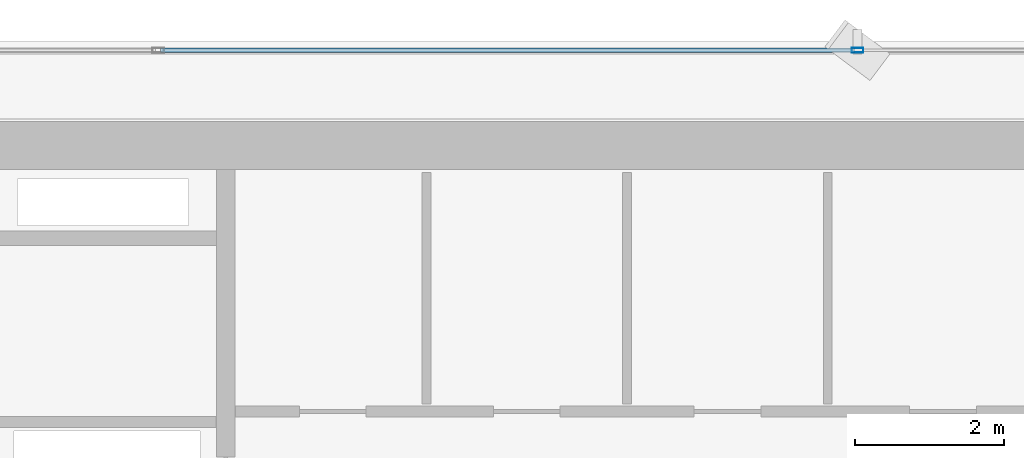
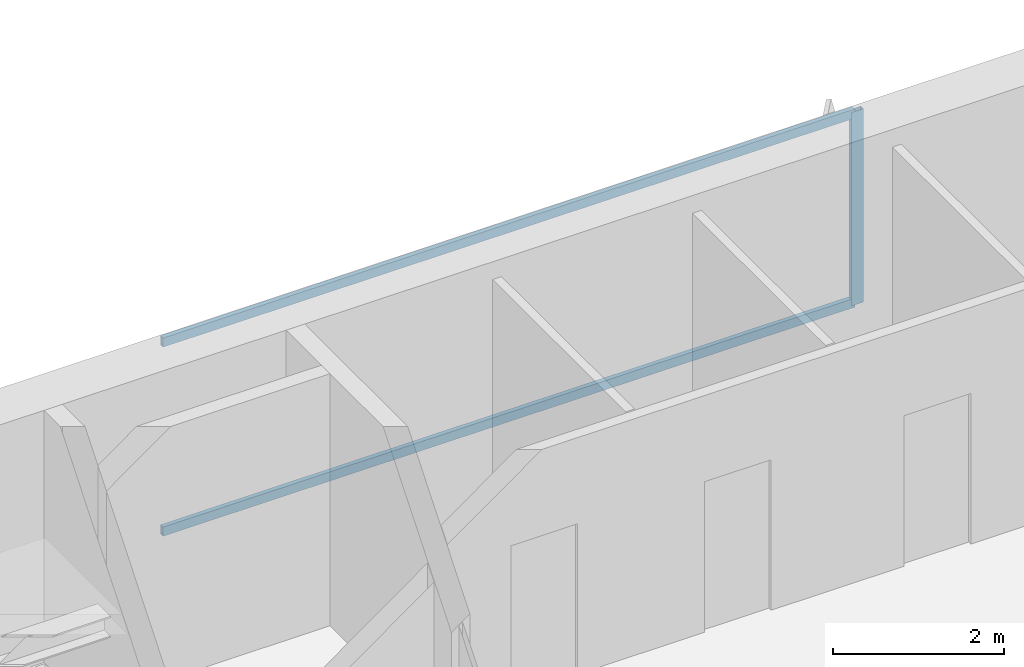
# One storey, part 16 of 28: 3 members, 1 element without a shape of its own.
"""IFC4 building model written with IfcOpenShell, lengths in metres."""

import ifcopenshell
import ifcopenshell.guid

model = None  # the IFC model being written
_history = None  # IfcOwnerHistory: only IFC2X3 demands one
_inside = {}  # id of a spatial element -> (the spatial element, [elements in it])
_under = {}  # id of a project, library or spatial element -> (it, [spatial elements below it])
_declared = {}  # id of a project -> (the project, [libraries it declares])
_typed = {}  # id of a type object -> (the type object, [elements of that type])
_made_of = {}  # id of a material, layer set ... -> (it, [elements and type objects made of it])


def new_model(schema):
    """Start an empty IFC model of exactly this schema.

    Asked for "IFC4X3", IfcOpenShell would pick the latest addendum, in which some entities
    have other attributes; the version numbers below select the first issue.
    IFC2X3 requires an IfcOwnerHistory on every rooted entity: one is made here for all.
    """
    global model, _history
    if schema == "IFC4X3":
        model = ifcopenshell.file(schema_version=(4, 3, 0, 0))
    else:
        model = ifcopenshell.file(schema=schema)
    _inside.clear()
    _under.clear()
    _declared.clear()
    _typed.clear()
    _made_of.clear()
    _history = None
    if model.schema == "IFC2X3":
        org = make("IfcOrganization", Name="unknown")
        user = make(
            "IfcPersonAndOrganization",
            ThePerson=make("IfcPerson", FamilyName="unknown"),
            TheOrganization=org,
        )
        app = make(
            "IfcApplication",
            ApplicationDeveloper=org,
            Version="unknown",
            ApplicationFullName="unknown",
            ApplicationIdentifier="unknown",
        )
        _history = make(
            "IfcOwnerHistory",
            OwningUser=user,
            OwningApplication=app,
            ChangeAction="ADDED",
            CreationDate=0,
        )
    return model


def make(cls, **values):
    """One entity of the class cls with the attributes given. An attribute that is None is left unset."""
    return model.create_entity(
        cls, **{name: value for name, value in values.items() if value is not None}
    )


def rooted(cls, **values):
    """An entity with a GlobalId (a new one), such as an element, a storey or a relation."""
    return make(cls, GlobalId=ifcopenshell.guid.new(), OwnerHistory=_history, **values)


def si_unit(unit_type, name, prefix=None):
    """IfcSIUnit, for example si_unit("LENGTHUNIT", "METRE", prefix="MILLI")."""
    return make("IfcSIUnit", UnitType=unit_type, Prefix=prefix, Name=name)


def assignment(units):
    """IfcUnitAssignment: the units of a project."""
    return None if units is None else make("IfcUnitAssignment", Units=units)


def point(xyz):
    """IfcCartesianPoint."""
    return None if xyz is None else make("IfcCartesianPoint", Coordinates=xyz)


def direction(xyz):
    """IfcDirection."""
    return None if xyz is None else make("IfcDirection", DirectionRatios=xyz)


def frame(location, z_axis=None, x_axis=None):
    """IfcAxis2Placement3D, a coordinate frame: its origin and axes. An axis left out is left unset."""
    return make(
        "IfcAxis2Placement3D",
        Location=point(location),
        Axis=direction(z_axis),
        RefDirection=direction(x_axis),
    )


def frame_2d(location, x_axis=None):
    """IfcAxis2Placement2D, a coordinate frame in the plane: its origin and x axis."""
    return make(
        "IfcAxis2Placement2D", Location=point(location), RefDirection=direction(x_axis)
    )


def origin():
    """The frame at (0, 0, 0) with its axes left unset."""
    return frame((0.0, 0.0, 0.0))


def origin_2d():
    """The frame at (0, 0) in the plane with its x axis left unset."""
    return frame_2d((0.0, 0.0))


def place(relative_to, where):
    """IfcLocalPlacement: puts the frame where relative to a parent placement (None: the world)."""
    return make(
        "IfcLocalPlacement", PlacementRelTo=relative_to, RelativePlacement=where
    )


def context(
    kind, dimensions, precision=None, world=None, true_north=None, identifier=None
):
    """IfcGeometricRepresentationContext, for example the 3D "Model" context."""
    return make(
        "IfcGeometricRepresentationContext",
        ContextIdentifier=identifier,
        ContextType=kind,
        CoordinateSpaceDimension=dimensions,
        Precision=precision,
        WorldCoordinateSystem=world,
        TrueNorth=true_north,
    )


def subcontext(parent, identifier, kind, view, scale=None):
    """IfcGeometricRepresentationSubContext, for example "Body" below "Model"."""
    return make(
        "IfcGeometricRepresentationSubContext",
        ContextIdentifier=identifier,
        ContextType=kind,
        ParentContext=parent,
        TargetScale=scale,
        TargetView=view,
    )


def project(units=None, contexts=None):
    """IfcProject with its units and contexts."""
    return rooted(
        "IfcProject",
        Name="project",
        RepresentationContexts=contexts,
        UnitsInContext=assignment(units),
    )


def spatial(cls, under=None, at=None, **own):
    """A site, building, storey or space (cls), placed at a placement, below another one or the project."""
    s = rooted(cls, ObjectPlacement=at, **own)
    if under is not None:
        _under.setdefault(under.id(), (under, []))[1].append(s)
    return s


def profile(cls, at=None, kind="AREA", **sizes):
    """A parametric profile (cls). Its sizes go by their IFC names, for example OverallWidth=200.0."""
    return make(cls, ProfileType=kind, Position=at, **sizes)


def hollow_rectangle(**sizes):
    """IfcRectangleHollowProfileDef."""
    return profile("IfcRectangleHollowProfileDef", **sizes)


def extrude(swept, where, along, depth):
    """IfcExtrudedAreaSolid: the profile swept, set in the frame where, extruded along a direction by depth."""
    return make(
        "IfcExtrudedAreaSolid",
        SweptArea=swept,
        Position=where,
        ExtrudedDirection=direction(along),
        Depth=depth,
    )


def shape(context_of_items, identifier, shape_type, items):
    """IfcShapeRepresentation: the items that make up one representation, for example the "Body"."""
    return make(
        "IfcShapeRepresentation",
        ContextOfItems=context_of_items,
        RepresentationIdentifier=identifier,
        RepresentationType=shape_type,
        Items=items,
    )


def source(mapping_origin, context_of_items, identifier, shape_type, items):
    """IfcRepresentationMap: a shape defined once, which mapped items show again and again."""
    return make(
        "IfcRepresentationMap",
        MappingOrigin=mapping_origin,
        MappedRepresentation=shape(context_of_items, identifier, shape_type, items),
    )


def transform(
    local_origin,
    x_axis=None,
    y_axis=None,
    z_axis=None,
    scale=None,
    scale2=None,
    scale3=None,
    uniform=True,
):
    """IfcCartesianTransformationOperator3D, or its non-uniform kind. x_axis, y_axis, z_axis: its Axis1, 2, 3."""
    if uniform:
        return make(
            "IfcCartesianTransformationOperator3D",
            Axis1=direction(x_axis),
            Axis2=direction(y_axis),
            LocalOrigin=point(local_origin),
            Scale=scale,
            Axis3=direction(z_axis),
        )
    return make(
        "IfcCartesianTransformationOperator3DnonUniform",
        Axis1=direction(x_axis),
        Axis2=direction(y_axis),
        LocalOrigin=point(local_origin),
        Scale=scale,
        Axis3=direction(z_axis),
        Scale2=scale2,
        Scale3=scale3,
    )


def mapped(mapping_source, mapping_target):
    """IfcMappedItem: shows the shape of a source again, moved by a transform."""
    return make(
        "IfcMappedItem", MappingSource=mapping_source, MappingTarget=mapping_target
    )


def material(Name=None, Category=None):
    """IfcMaterial."""
    return make("IfcMaterial", Name=Name, Category=Category)


def layer(
    of_material, thickness, ventilated=None, Name=None, Category=None, Priority=None
):
    """IfcMaterialLayer: one layer of a wall or slab, of a material (None: an air gap)."""
    return make(
        "IfcMaterialLayer",
        Material=of_material,
        LayerThickness=thickness,
        IsVentilated=ventilated,
        Name=Name,
        Category=Category,
        Priority=Priority,
    )


def layer_set(layers, Name=None):
    """IfcMaterialLayerSet."""
    return make("IfcMaterialLayerSet", MaterialLayers=layers, LayerSetName=Name)


def material_profile(
    of_material, cross_section, Name=None, Category=None, Priority=None
):
    """IfcMaterialProfile: a cross section and its material."""
    return make(
        "IfcMaterialProfile",
        Name=Name,
        Material=of_material,
        Profile=cross_section,
        Priority=Priority,
        Category=Category,
    )


def profile_set(profiles, Name=None, composite=None):
    """IfcMaterialProfileSet."""
    return make(
        "IfcMaterialProfileSet",
        Name=Name,
        MaterialProfiles=profiles,
        CompositeProfile=composite,
    )


def made_of(thing, what):
    """Note that an element or type object is made of a material, layer set ...; save() writes the relation."""
    if what is not None:
        _made_of.setdefault(what.id(), (what, []))[1].append(thing)
    return thing


def type_object(cls, material=None, **own):
    """A type object (cls), such as IfcWallType, which elements share."""
    return made_of(rooted(cls, **own), material)


def element(
    cls,
    number,
    at=None,
    inside=None,
    cuts=None,
    type_object=None,
    material=None,
    context=None,
    identifier="Body",
    shape_type=None,
    held_by="IfcProductDefinitionShape",
    body=None,
    shapes=None,
    **own,
):
    """One element of the class cls, such as IfcWall. Its Tag is "e" and its number.

    at: its placement. inside: the storey or other place that contains it. cuts: it is an
    opening in that element (IfcRelVoidsElement). A single representation is given by context,
    identifier, shape_type and body (its items); several are given by shapes. held_by: the class
    of the entity that holds the representations. save() writes the other relations.
    """
    e = rooted(cls, Tag="e%d" % number, ObjectPlacement=at, **own)
    if body is not None:
        shapes = [shape(context, identifier, shape_type, body)]
    if shapes is not None:
        e.Representation = make(held_by, Representations=shapes)
    if inside is not None:
        _inside.setdefault(inside.id(), (inside, []))[1].append(e)
    if cuts is not None:
        rooted(
            "IfcRelVoidsElement", RelatingBuildingElement=cuts, RelatedOpeningElement=e
        )
    if type_object is not None:
        _typed.setdefault(type_object.id(), (type_object, []))[1].append(e)
    return made_of(e, material)


def aggregate(whole, parts):
    """IfcRelAggregates: a whole, such as a stair, and the parts it consists of."""
    return rooted("IfcRelAggregates", RelatingObject=whole, RelatedObjects=parts)


def save(model, path):
    """Write the relations noted so far, then the file.

    IfcRelAggregates (storeys below a building ...), IfcRelContainedInSpatialStructure (elements
    in a storey), IfcRelDefinesByType, IfcRelAssociatesMaterial and IfcRelDeclares: one each for
    every whole, place, type object, material and project.
    """
    for whole, parts in _under.values():
        aggregate(whole, parts)
    for where, things in _inside.values():
        rooted(
            "IfcRelContainedInSpatialStructure",
            RelatedElements=things,
            RelatingStructure=where,
        )
    for kind, things in _typed.values():
        rooted("IfcRelDefinesByType", RelatedObjects=things, RelatingType=kind)
    for what, things in _made_of.values():
        rooted("IfcRelAssociatesMaterial", RelatedObjects=things, RelatingMaterial=what)
    for by, libraries in _declared.values():
        rooted("IfcRelDeclares", RelatingContext=by, RelatedDefinitions=libraries)
    model.write(path)


model = new_model("IFC4")

# Units and contexts
model_context = context("Model", 3, precision=1e-05, world=origin(), true_north=direction((0.0, 1.0)))
body_context = subcontext(model_context, "Body", "Model", "MODEL_VIEW")
ifc_project = project(units=[si_unit("LENGTHUNIT", "METRE"), si_unit("AREAUNIT", "SQUARE_METRE"), si_unit("VOLUMEUNIT", "CUBIC_METRE"), si_unit("PLANEANGLEUNIT", "RADIAN"), si_unit("MASSUNIT", "GRAM", prefix="KILO")], contexts=[model_context])

# Site, building, storey
site_placement = place(None, origin())
site = spatial("IfcSite", under=ifc_project, at=site_placement, CompositionType="ELEMENT")
building_placement = place(site_placement, origin())
building = spatial("IfcBuilding", under=site, at=building_placement, Name="Sumidabori Civic Tower", CompositionType="ELEMENT")
storey_placement = place(building_placement, frame((0.0, 0.0, 178.39990234375)))
storey = spatial("IfcBuildingStorey", under=building, at=storey_placement, Name="L46", CompositionType="ELEMENT", Elevation=178.39990234375)

# Curtain wall, members
ifc_material = material(Name="Anodised Bronze Aluminium AW-6063-T6", Category="aluminium")
ifc_layer = layer(ifc_material, 0.179931640625, Name="Anodised Bronze Aluminium AW-6063-T6")
ifc_layer_set = layer_set([ifc_layer], Name="Anodised Bronze Aluminium AW-6063-T6")
curtain_wall_type = type_object("IfcCurtainWallType", Name="CW-SYS-3", PredefinedType="NOTDEFINED", material=ifc_layer_set)
curtain_wall_placement = place(storey_placement, origin())
curtain_wall = element("IfcCurtainWall", 1, at=curtain_wall_placement, inside=storey, type_object=curtain_wall_type, Name="Curtain Wall CW:L46:R07", PredefinedType="NOTDEFINED")
ifc_material_profile_1 = material_profile(ifc_material, hollow_rectangle(XDim=0.06494140625, YDim=0.159912109375, WallThickness=0.0048828125, at=origin_2d()), Name="ALU MULLION 160x65")
ifc_profile_set_1 = profile_set([ifc_material_profile_1], Name="Anodised Bronze Aluminium AW-6063-T6")
member_type_1 = type_object("IfcMemberType", Name="CW-MUL-160", PredefinedType="MULLION", material=ifc_profile_set_1)
shared_shape_1 = source(origin(), body_context, "Body", "SweptSolid", [
    extrude(hollow_rectangle(XDim=0.06494140625, YDim=0.159912109375, WallThickness=0.0048828125, at=origin_2d()), origin(), (0.0, 0.0, 1.0), 2.760009765625),
])
member_1_placement = place(storey_placement, frame((0.0, 25.080078125, 0.0), z_axis=(0.0, 0.0, 1.0), x_axis=(0.0, -1.0, 0.0)))
member_1 = element("IfcMember", 2, at=member_1_placement, type_object=member_type_1, Name="CW-3 mullion 3", PredefinedType="MULLION", context=body_context, shape_type="MappedRepresentation", body=[
    mapped(shared_shape_1, transform((0.0, 0.0, 0.0), x_axis=(1.0, 0.0, 0.0), y_axis=(0.0, 1.0, 0.0), z_axis=(0.0, 0.0, 1.0), scale=1.0)),
])
ifc_material_profile_2 = material_profile(ifc_material, hollow_rectangle(XDim=0.06005859375, YDim=0.1298828125, WallThickness=0.0048828125, at=origin_2d()), Name="ALU TRANSOM 130x60")
ifc_profile_set_2 = profile_set([ifc_material_profile_2], Name="Anodised Bronze Aluminium AW-6063-T6")
member_type_2 = type_object("IfcMemberType", Name="CW-TRN-130", PredefinedType="USERDEFINED", material=ifc_profile_set_2)
shared_shape_2 = source(origin(), body_context, "Body", "SweptSolid", [
    extrude(hollow_rectangle(XDim=0.06005859375, YDim=0.1298828125, WallThickness=0.0048828125, at=origin_2d()), origin(), (0.0, 0.0, 1.0), 9.344970703125),
])
member_2_placement = place(storey_placement, frame((-0.032470703125, 25.080078125, 0.030029296875), z_axis=(-1.0, 0.0, 0.0), x_axis=(0.0, -1.0, 0.0)))
member_2 = element("IfcMember", 3, at=member_2_placement, type_object=member_type_2, Name="CW-3 transom 3.1", ObjectType="TRANSOM", PredefinedType="USERDEFINED", context=body_context, shape_type="MappedRepresentation", body=[
    mapped(shared_shape_2, transform((0.0, 0.0, 0.0), x_axis=(1.0, 0.0, 0.0), y_axis=(0.0, 1.0, 0.0), z_axis=(0.0, 0.0, 1.0), scale=1.0)),
])
member_3_placement = place(storey_placement, frame((-0.032470703125, 25.080078125, 2.72998046875), z_axis=(-1.0, 0.0, 0.0), x_axis=(0.0, -1.0, 0.0)))
member_3 = element("IfcMember", 4, at=member_3_placement, type_object=member_type_2, Name="CW-3 transom 3.2", ObjectType="TRANSOM", PredefinedType="USERDEFINED", context=body_context, shape_type="MappedRepresentation", body=[
    mapped(shared_shape_2, transform((0.0, 0.0, 0.0), x_axis=(1.0, 0.0, 0.0), y_axis=(0.0, 1.0, 0.0), z_axis=(0.0, 0.0, 1.0), scale=1.0)),
])
aggregate(curtain_wall, [member_1, member_2, member_3])

save(model, "model.ifc")
